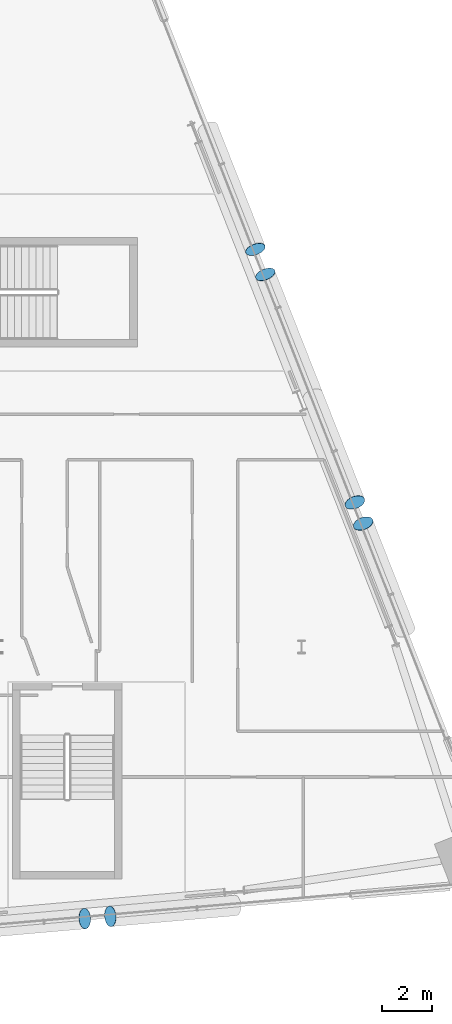
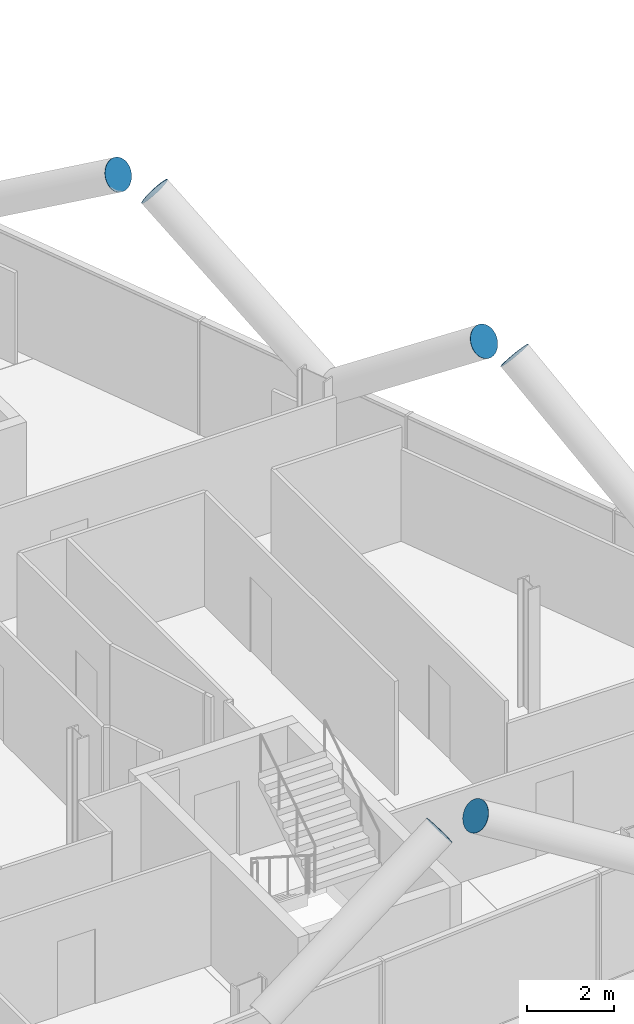
# One storey, part 23 of 27: 6 discrete accessories.
"""IFC4 building model written with IfcOpenShell, lengths in metres."""

from ifc_helpers import new_model, si_unit, direction, frame, origin, origin_2d, place, context, subcontext, project, spatial, circle, extrude, material, material_profile, profile_set, type_object, element, save


model = new_model("IFC4")

# Units and contexts
model_context = context("Model", 3, precision=1e-05, world=origin(), true_north=direction((0.0, 1.0)))
body_context = subcontext(model_context, "Body", "Model", "MODEL_VIEW")
ifc_project = project(units=[si_unit("LENGTHUNIT", "METRE"), si_unit("AREAUNIT", "SQUARE_METRE"), si_unit("VOLUMEUNIT", "CUBIC_METRE"), si_unit("PLANEANGLEUNIT", "RADIAN"), si_unit("MASSUNIT", "GRAM", prefix="KILO")], contexts=[model_context])

# Site, building, storey
site_placement = place(None, origin())
site = spatial("IfcSite", under=ifc_project, at=site_placement, CompositionType="ELEMENT")
building_placement = place(site_placement, origin())
building = spatial("IfcBuilding", under=site, at=building_placement, Name="Wharfspan Tower", CompositionType="ELEMENT")
storey_placement = place(building_placement, frame((0.0, 0.0, 136.300049)))
storey = spatial("IfcBuildingStorey", under=building, at=storey_placement, Name="L32", CompositionType="ELEMENT", Elevation=136.300049)

# Discrete accessories
ifc_material = material(Name="Steel S460NH", Category="steel")
ifc_material_profile = material_profile(ifc_material, circle(Radius=0.406494, at=origin_2d()))
ifc_profile_set = profile_set([ifc_material_profile], Name="Steel S460NH")
discrete_accessory_type = type_object("IfcDiscreteAccessoryType", Name="End plate CHS 813x40", PredefinedType="BRACKET", material=ifc_profile_set)
discrete_accessory_1_placement = place(storey_placement, frame((75.401855, 0.73291, 6.162109), z_axis=(0.827302, 0.048665, 0.559645), x_axis=(-0.058723, 0.998276, 1e-06)))
element("IfcDiscreteAccessory", 1, at=discrete_accessory_1_placement, inside=storey, type_object=discrete_accessory_type, Name="End plate CHS 813x40", PredefinedType="BRACKET", context=body_context, shape_type="SweptSolid", body=[
    extrude(circle(Radius=0.406494, at=origin_2d()), origin(), (0.0, 0.0, 1.0), 0.01001),
])
discrete_accessory_2_placement = place(storey_placement, frame((76.427002, 0.82251, 6.162109), z_axis=(-0.83357, -0.071449, 0.547774), x_axis=(0.085401, -0.996343, 0.0)))
element("IfcDiscreteAccessory", 2, at=discrete_accessory_2_placement, inside=storey, type_object=discrete_accessory_type, Name="End plate CHS 813x40", PredefinedType="BRACKET", context=body_context, shape_type="SweptSolid", body=[
    extrude(circle(Radius=0.406494, at=origin_2d()), origin(), (0.0, 0.0, 1.0), 0.010254),
])
discrete_accessory_3_placement = place(storey_placement, frame((82.563477, 26.251709, 6.158447), z_axis=(-0.321601, 0.791633, 0.519509), x_axis=(-0.926467, -0.376378, 1e-06)))
element("IfcDiscreteAccessory", 3, at=discrete_accessory_3_placement, inside=storey, type_object=discrete_accessory_type, Name="End plate CHS 813x40", PredefinedType="BRACKET", context=body_context, shape_type="SweptSolid", body=[
    extrude(circle(Radius=0.406494, at=origin_2d()), origin(), (0.0, 0.0, 1.0), 0.009766),
])
for number, where, z_axis, x_axis, name in (
    (4, (82.168213, 27.257812, 6.158447), (0.293294, -0.806559, 0.513265), (0.939791, 0.341742, 0.0), "End plate CHS 813x40"),
    (5, (86.442627, 16.381348, 6.172119), (-0.292683, 0.756098, 0.585366), (-0.932565, -0.360992, -1e-06), "End plate CHS 813x40"),
    (6, (86.109863, 17.228027, 6.172119), (0.292683, -0.756098, 0.585366), (0.932565, 0.360992, -1e-06), "End plate CHS 813x40"),
):
    element("IfcDiscreteAccessory", number, at=place(storey_placement, frame(where, z_axis=z_axis, x_axis=x_axis)), inside=storey, type_object=discrete_accessory_type, Name=name, PredefinedType="BRACKET", context=body_context, shape_type="SweptSolid", body=[
        extrude(circle(Radius=0.406494, at=origin_2d()), origin(), (0.0, 0.0, 1.0), 0.01001),
    ])

save(model, "model.ifc")
